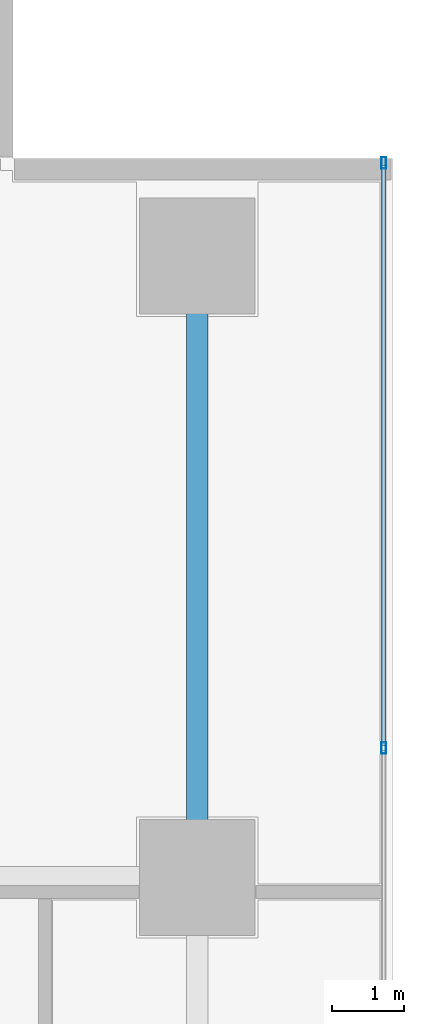
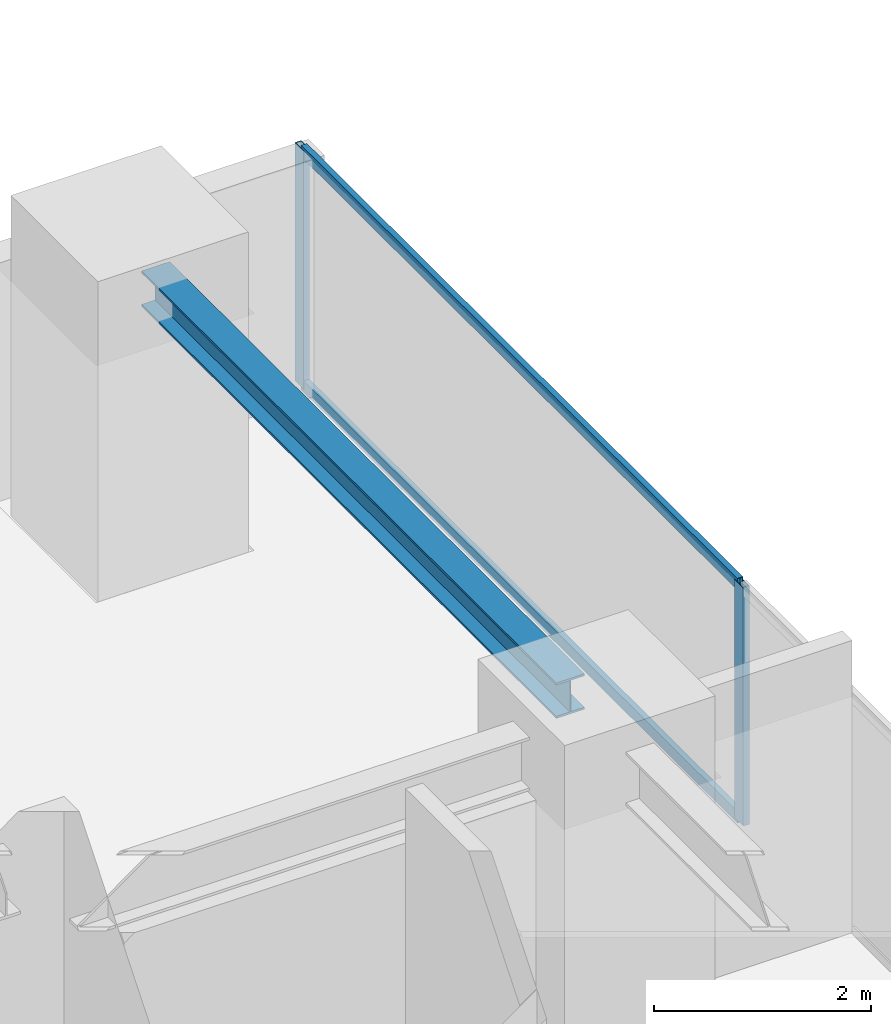
# One storey, part 24 of 36: 4 members, 1 beam, 1 element without a shape of its own.
"""IFC4 building model written with IfcOpenShell, lengths in metres."""

import ifcopenshell
import ifcopenshell.guid

model = None  # the IFC model being written
_history = None  # IfcOwnerHistory: only IFC2X3 demands one
_inside = {}  # id of a spatial element -> (the spatial element, [elements in it])
_under = {}  # id of a project, library or spatial element -> (it, [spatial elements below it])
_declared = {}  # id of a project -> (the project, [libraries it declares])
_typed = {}  # id of a type object -> (the type object, [elements of that type])
_made_of = {}  # id of a material, layer set ... -> (it, [elements and type objects made of it])


def new_model(schema):
    """Start an empty IFC model of exactly this schema.

    Asked for "IFC4X3", IfcOpenShell would pick the latest addendum, in which some entities
    have other attributes; the version numbers below select the first issue.
    IFC2X3 requires an IfcOwnerHistory on every rooted entity: one is made here for all.
    """
    global model, _history
    if schema == "IFC4X3":
        model = ifcopenshell.file(schema_version=(4, 3, 0, 0))
    else:
        model = ifcopenshell.file(schema=schema)
    _inside.clear()
    _under.clear()
    _declared.clear()
    _typed.clear()
    _made_of.clear()
    _history = None
    if model.schema == "IFC2X3":
        org = make("IfcOrganization", Name="unknown")
        user = make(
            "IfcPersonAndOrganization",
            ThePerson=make("IfcPerson", FamilyName="unknown"),
            TheOrganization=org,
        )
        app = make(
            "IfcApplication",
            ApplicationDeveloper=org,
            Version="unknown",
            ApplicationFullName="unknown",
            ApplicationIdentifier="unknown",
        )
        _history = make(
            "IfcOwnerHistory",
            OwningUser=user,
            OwningApplication=app,
            ChangeAction="ADDED",
            CreationDate=0,
        )
    return model


def make(cls, **values):
    """One entity of the class cls with the attributes given. An attribute that is None is left unset."""
    return model.create_entity(
        cls, **{name: value for name, value in values.items() if value is not None}
    )


def rooted(cls, **values):
    """An entity with a GlobalId (a new one), such as an element, a storey or a relation."""
    return make(cls, GlobalId=ifcopenshell.guid.new(), OwnerHistory=_history, **values)


def si_unit(unit_type, name, prefix=None):
    """IfcSIUnit, for example si_unit("LENGTHUNIT", "METRE", prefix="MILLI")."""
    return make("IfcSIUnit", UnitType=unit_type, Prefix=prefix, Name=name)


def assignment(units):
    """IfcUnitAssignment: the units of a project."""
    return None if units is None else make("IfcUnitAssignment", Units=units)


def point(xyz):
    """IfcCartesianPoint."""
    return None if xyz is None else make("IfcCartesianPoint", Coordinates=xyz)


def direction(xyz):
    """IfcDirection."""
    return None if xyz is None else make("IfcDirection", DirectionRatios=xyz)


def frame(location, z_axis=None, x_axis=None):
    """IfcAxis2Placement3D, a coordinate frame: its origin and axes. An axis left out is left unset."""
    return make(
        "IfcAxis2Placement3D",
        Location=point(location),
        Axis=direction(z_axis),
        RefDirection=direction(x_axis),
    )


def frame_2d(location, x_axis=None):
    """IfcAxis2Placement2D, a coordinate frame in the plane: its origin and x axis."""
    return make(
        "IfcAxis2Placement2D", Location=point(location), RefDirection=direction(x_axis)
    )


def origin():
    """The frame at (0, 0, 0) with its axes left unset."""
    return frame((0.0, 0.0, 0.0))


def origin_2d():
    """The frame at (0, 0) in the plane with its x axis left unset."""
    return frame_2d((0.0, 0.0))


def place(relative_to, where):
    """IfcLocalPlacement: puts the frame where relative to a parent placement (None: the world)."""
    return make(
        "IfcLocalPlacement", PlacementRelTo=relative_to, RelativePlacement=where
    )


def context(
    kind, dimensions, precision=None, world=None, true_north=None, identifier=None
):
    """IfcGeometricRepresentationContext, for example the 3D "Model" context."""
    return make(
        "IfcGeometricRepresentationContext",
        ContextIdentifier=identifier,
        ContextType=kind,
        CoordinateSpaceDimension=dimensions,
        Precision=precision,
        WorldCoordinateSystem=world,
        TrueNorth=true_north,
    )


def subcontext(parent, identifier, kind, view, scale=None):
    """IfcGeometricRepresentationSubContext, for example "Body" below "Model"."""
    return make(
        "IfcGeometricRepresentationSubContext",
        ContextIdentifier=identifier,
        ContextType=kind,
        ParentContext=parent,
        TargetScale=scale,
        TargetView=view,
    )


def project(units=None, contexts=None):
    """IfcProject with its units and contexts."""
    return rooted(
        "IfcProject",
        Name="project",
        RepresentationContexts=contexts,
        UnitsInContext=assignment(units),
    )


def spatial(cls, under=None, at=None, **own):
    """A site, building, storey or space (cls), placed at a placement, below another one or the project."""
    s = rooted(cls, ObjectPlacement=at, **own)
    if under is not None:
        _under.setdefault(under.id(), (under, []))[1].append(s)
    return s


def profile(cls, at=None, kind="AREA", **sizes):
    """A parametric profile (cls). Its sizes go by their IFC names, for example OverallWidth=200.0."""
    return make(cls, ProfileType=kind, Position=at, **sizes)


def hollow_rectangle(**sizes):
    """IfcRectangleHollowProfileDef."""
    return profile("IfcRectangleHollowProfileDef", **sizes)


def i_section(**sizes):
    """IfcIShapeProfileDef."""
    return profile("IfcIShapeProfileDef", **sizes)


def extrude(swept, where, along, depth):
    """IfcExtrudedAreaSolid: the profile swept, set in the frame where, extruded along a direction by depth."""
    return make(
        "IfcExtrudedAreaSolid",
        SweptArea=swept,
        Position=where,
        ExtrudedDirection=direction(along),
        Depth=depth,
    )


def shape(context_of_items, identifier, shape_type, items):
    """IfcShapeRepresentation: the items that make up one representation, for example the "Body"."""
    return make(
        "IfcShapeRepresentation",
        ContextOfItems=context_of_items,
        RepresentationIdentifier=identifier,
        RepresentationType=shape_type,
        Items=items,
    )


def source(mapping_origin, context_of_items, identifier, shape_type, items):
    """IfcRepresentationMap: a shape defined once, which mapped items show again and again."""
    return make(
        "IfcRepresentationMap",
        MappingOrigin=mapping_origin,
        MappedRepresentation=shape(context_of_items, identifier, shape_type, items),
    )


def transform(
    local_origin,
    x_axis=None,
    y_axis=None,
    z_axis=None,
    scale=None,
    scale2=None,
    scale3=None,
    uniform=True,
):
    """IfcCartesianTransformationOperator3D, or its non-uniform kind. x_axis, y_axis, z_axis: its Axis1, 2, 3."""
    if uniform:
        return make(
            "IfcCartesianTransformationOperator3D",
            Axis1=direction(x_axis),
            Axis2=direction(y_axis),
            LocalOrigin=point(local_origin),
            Scale=scale,
            Axis3=direction(z_axis),
        )
    return make(
        "IfcCartesianTransformationOperator3DnonUniform",
        Axis1=direction(x_axis),
        Axis2=direction(y_axis),
        LocalOrigin=point(local_origin),
        Scale=scale,
        Axis3=direction(z_axis),
        Scale2=scale2,
        Scale3=scale3,
    )


def mapped(mapping_source, mapping_target):
    """IfcMappedItem: shows the shape of a source again, moved by a transform."""
    return make(
        "IfcMappedItem", MappingSource=mapping_source, MappingTarget=mapping_target
    )


def material(Name=None, Category=None):
    """IfcMaterial."""
    return make("IfcMaterial", Name=Name, Category=Category)


def layer(
    of_material, thickness, ventilated=None, Name=None, Category=None, Priority=None
):
    """IfcMaterialLayer: one layer of a wall or slab, of a material (None: an air gap)."""
    return make(
        "IfcMaterialLayer",
        Material=of_material,
        LayerThickness=thickness,
        IsVentilated=ventilated,
        Name=Name,
        Category=Category,
        Priority=Priority,
    )


def layer_set(layers, Name=None):
    """IfcMaterialLayerSet."""
    return make("IfcMaterialLayerSet", MaterialLayers=layers, LayerSetName=Name)


def material_profile(
    of_material, cross_section, Name=None, Category=None, Priority=None
):
    """IfcMaterialProfile: a cross section and its material."""
    return make(
        "IfcMaterialProfile",
        Name=Name,
        Material=of_material,
        Profile=cross_section,
        Priority=Priority,
        Category=Category,
    )


def profile_set(profiles, Name=None, composite=None):
    """IfcMaterialProfileSet."""
    return make(
        "IfcMaterialProfileSet",
        Name=Name,
        MaterialProfiles=profiles,
        CompositeProfile=composite,
    )


def made_of(thing, what):
    """Note that an element or type object is made of a material, layer set ...; save() writes the relation."""
    if what is not None:
        _made_of.setdefault(what.id(), (what, []))[1].append(thing)
    return thing


def type_object(cls, material=None, **own):
    """A type object (cls), such as IfcWallType, which elements share."""
    return made_of(rooted(cls, **own), material)


def element(
    cls,
    number,
    at=None,
    inside=None,
    cuts=None,
    type_object=None,
    material=None,
    context=None,
    identifier="Body",
    shape_type=None,
    held_by="IfcProductDefinitionShape",
    body=None,
    shapes=None,
    **own,
):
    """One element of the class cls, such as IfcWall. Its Tag is "e" and its number.

    at: its placement. inside: the storey or other place that contains it. cuts: it is an
    opening in that element (IfcRelVoidsElement). A single representation is given by context,
    identifier, shape_type and body (its items); several are given by shapes. held_by: the class
    of the entity that holds the representations. save() writes the other relations.
    """
    e = rooted(cls, Tag="e%d" % number, ObjectPlacement=at, **own)
    if body is not None:
        shapes = [shape(context, identifier, shape_type, body)]
    if shapes is not None:
        e.Representation = make(held_by, Representations=shapes)
    if inside is not None:
        _inside.setdefault(inside.id(), (inside, []))[1].append(e)
    if cuts is not None:
        rooted(
            "IfcRelVoidsElement", RelatingBuildingElement=cuts, RelatedOpeningElement=e
        )
    if type_object is not None:
        _typed.setdefault(type_object.id(), (type_object, []))[1].append(e)
    return made_of(e, material)


def aggregate(whole, parts):
    """IfcRelAggregates: a whole, such as a stair, and the parts it consists of."""
    return rooted("IfcRelAggregates", RelatingObject=whole, RelatedObjects=parts)


def save(model, path):
    """Write the relations noted so far, then the file.

    IfcRelAggregates (storeys below a building ...), IfcRelContainedInSpatialStructure (elements
    in a storey), IfcRelDefinesByType, IfcRelAssociatesMaterial and IfcRelDeclares: one each for
    every whole, place, type object, material and project.
    """
    for whole, parts in _under.values():
        aggregate(whole, parts)
    for where, things in _inside.values():
        rooted(
            "IfcRelContainedInSpatialStructure",
            RelatedElements=things,
            RelatingStructure=where,
        )
    for kind, things in _typed.values():
        rooted("IfcRelDefinesByType", RelatedObjects=things, RelatingType=kind)
    for what, things in _made_of.values():
        rooted("IfcRelAssociatesMaterial", RelatedObjects=things, RelatingMaterial=what)
    for by, libraries in _declared.values():
        rooted("IfcRelDeclares", RelatingContext=by, RelatedDefinitions=libraries)
    model.write(path)


model = new_model("IFC4")

# Units and contexts
model_context = context("Model", 3, precision=1e-05, world=origin(), true_north=direction((0.0, 1.0)))
body_context = subcontext(model_context, "Body", "Model", "MODEL_VIEW")
ifc_project = project(units=[si_unit("LENGTHUNIT", "METRE"), si_unit("AREAUNIT", "SQUARE_METRE"), si_unit("VOLUMEUNIT", "CUBIC_METRE"), si_unit("PLANEANGLEUNIT", "RADIAN"), si_unit("MASSUNIT", "GRAM", prefix="KILO")], contexts=[model_context])

# Site, building, storey
site_placement = place(None, origin())
site = spatial("IfcSite", under=ifc_project, at=site_placement, CompositionType="ELEMENT")
building_placement = place(site_placement, origin())
building = spatial("IfcBuilding", under=site, at=building_placement, Name="Sumidabori Civic Tower", CompositionType="ELEMENT")
storey_placement = place(building_placement, frame((0.0, 0.0, 120.800048828125)))
storey = spatial("IfcBuildingStorey", under=building, at=storey_placement, Name="L31", CompositionType="ELEMENT", Elevation=120.800048828125)

# Beam
ifc_material_1 = material(Name="Steel SN490", Category="steel")
ifc_material_profile_1 = material_profile(ifc_material_1, i_section(OverallWidth=0.300048828125, OverallDepth=0.39990234375, WebThickness=0.013427734375, FlangeThickness=0.02392578125, at=origin_2d()), Name="HE 400 B")
ifc_profile_set_1 = profile_set([ifc_material_profile_1], Name="Steel SN490")
beam_type = type_object("IfcBeamType", Name="BM-GIRD-400", PredefinedType="BEAM", material=ifc_profile_set_1)
shared_shape_1 = source(origin(), body_context, "Body", "SweptSolid", [
    extrude(i_section(OverallWidth=0.300048828125, OverallDepth=0.39990234375, WebThickness=0.013427734375, FlangeThickness=0.02392578125, at=origin_2d()), origin(), (0.0, 0.0, 1.0), 7.64013671875),
])
beam_placement = place(storey_placement, frame((22.800048828125, 10.679931640625, 3.099853515625), z_axis=(0.0, 1.0, 0.0), x_axis=(-1.0, 0.0, 0.0)))
element("IfcBeam", 1, at=beam_placement, inside=storey, type_object=beam_type, Name="Primary Girder L31 GY-42", PredefinedType="BEAM", context=body_context, shape_type="MappedRepresentation", body=[
    mapped(shared_shape_1, transform((0.0, 0.0, 0.0), x_axis=(1.0, 0.0, 0.0), y_axis=(0.0, 1.0, 0.0), z_axis=(0.0, 0.0, 1.0), scale=1.0)),
])

# Curtain wall, members
ifc_material_2 = material(Name="Anodised Bronze Aluminium AW-6063-T6", Category="aluminium")
ifc_layer = layer(ifc_material_2, 0.179931640625, Name="Anodised Bronze Aluminium AW-6063-T6")
ifc_layer_set = layer_set([ifc_layer], Name="Anodised Bronze Aluminium AW-6063-T6")
curtain_wall_type = type_object("IfcCurtainWallType", Name="CW-SYS-3", PredefinedType="NOTDEFINED", material=ifc_layer_set)
curtain_wall_placement = place(storey_placement, origin())
curtain_wall = element("IfcCurtainWall", 2, at=curtain_wall_placement, inside=storey, type_object=curtain_wall_type, Name="Curtain Wall CW:L31:R04", PredefinedType="NOTDEFINED")
ifc_material_profile_2 = material_profile(ifc_material_2, hollow_rectangle(XDim=0.06005859375, YDim=0.1298828125, WallThickness=0.0048828125, at=origin_2d()), Name="ALU TRANSOM 130x60")
ifc_profile_set_2 = profile_set([ifc_material_profile_2], Name="Anodised Bronze Aluminium AW-6063-T6")
member_type_1 = type_object("IfcMemberType", Name="CW-TRN-130", PredefinedType="USERDEFINED", material=ifc_profile_set_2)
shared_shape_2 = source(origin(), body_context, "Body", "SweptSolid", [
    extrude(hollow_rectangle(XDim=0.06005859375, YDim=0.1298828125, WallThickness=0.0048828125, at=origin_2d()), origin(), (0.0, 0.0, 1.0), 8.030517578125),
])
member_1_placement = place(storey_placement, frame((25.3798828125, 12.0244140625, 0.030029296875), z_axis=(0.0, 1.0, 0.0), x_axis=(-1.0, 0.0, 0.0)))
member_1 = element("IfcMember", 3, at=member_1_placement, type_object=member_type_1, Name="CW-3 transom 5.1", ObjectType="TRANSOM", PredefinedType="USERDEFINED", context=body_context, shape_type="MappedRepresentation", body=[
    mapped(shared_shape_2, transform((0.0, 0.0, 0.0), x_axis=(1.0, 0.0, 0.0), y_axis=(0.0, 1.0, 0.0), z_axis=(0.0, 0.0, 1.0), scale=1.0)),
])
member_2_placement = place(storey_placement, frame((25.3798828125, 12.0244140625, 2.64990234375), z_axis=(0.0, 1.0, 0.0), x_axis=(-1.0, 0.0, 0.0)))
member_2 = element("IfcMember", 4, at=member_2_placement, type_object=member_type_1, Name="CW-3 transom 5.2", ObjectType="TRANSOM", PredefinedType="USERDEFINED", context=body_context, shape_type="MappedRepresentation", body=[
    mapped(shared_shape_2, transform((0.0, 0.0, 0.0), x_axis=(1.0, 0.0, 0.0), y_axis=(0.0, 1.0, 0.0), z_axis=(0.0, 0.0, 1.0), scale=1.0)),
])
ifc_material_profile_3 = material_profile(ifc_material_2, hollow_rectangle(XDim=0.06494140625, YDim=0.159912109375, WallThickness=0.0048828125, at=origin_2d()), Name="ALU MULLION 160x65")
ifc_profile_set_3 = profile_set([ifc_material_profile_3], Name="Anodised Bronze Aluminium AW-6063-T6")
member_type_2 = type_object("IfcMemberType", Name="CW-MUL-160", PredefinedType="MULLION", material=ifc_profile_set_3)
shared_shape_3 = source(origin(), body_context, "Body", "SweptSolid", [
    extrude(hollow_rectangle(XDim=0.06494140625, YDim=0.159912109375, WallThickness=0.0048828125, at=origin_2d()), origin(), (0.0, 0.0, 1.0), 2.679931640625),
])
member_3_placement = place(storey_placement, frame((25.3798828125, 11.991943359375, 0.0), z_axis=(0.0, 0.0, 1.0), x_axis=(-1.0, 0.0, 0.0)))
member_3 = element("IfcMember", 5, at=member_3_placement, type_object=member_type_2, Name="CW-3 mullion 5", PredefinedType="MULLION", context=body_context, shape_type="MappedRepresentation", body=[
    mapped(shared_shape_3, transform((0.0, 0.0, 0.0), x_axis=(1.0, 0.0, 0.0), y_axis=(0.0, 1.0, 0.0), z_axis=(0.0, 0.0, 1.0), scale=1.0)),
])
member_4_placement = place(storey_placement, frame((25.3798828125, 20.08740234375, 0.0), z_axis=(0.0, 0.0, 1.0), x_axis=(-1.0, 0.0, 0.0)))
member_4 = element("IfcMember", 6, at=member_4_placement, type_object=member_type_2, Name="CW-3 mullion 6", PredefinedType="MULLION", context=body_context, shape_type="MappedRepresentation", body=[
    mapped(shared_shape_3, transform((0.0, 0.0, 0.0), x_axis=(1.0, 0.0, 0.0), y_axis=(0.0, 1.0, 0.0), z_axis=(0.0, 0.0, 1.0), scale=1.0)),
])
aggregate(curtain_wall, [member_3, member_4, member_1, member_2])

save(model, "model.ifc")
